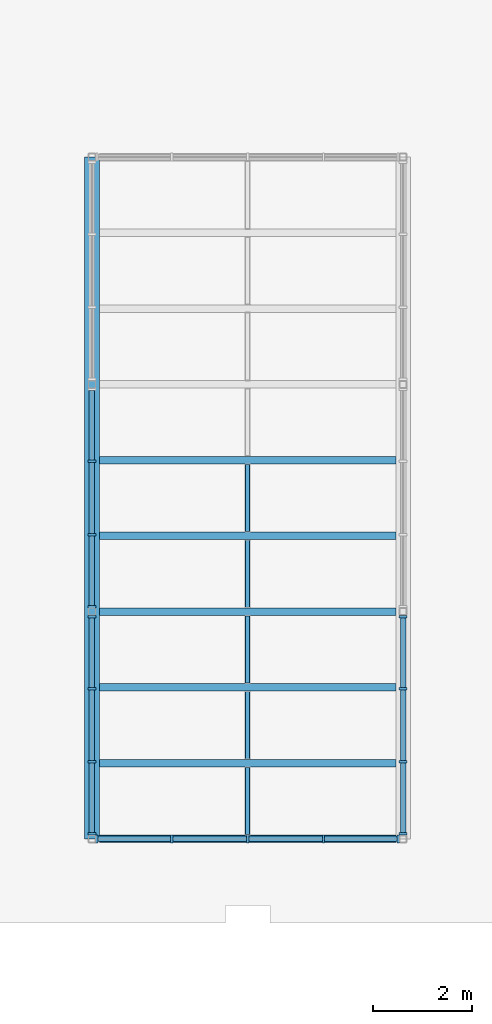
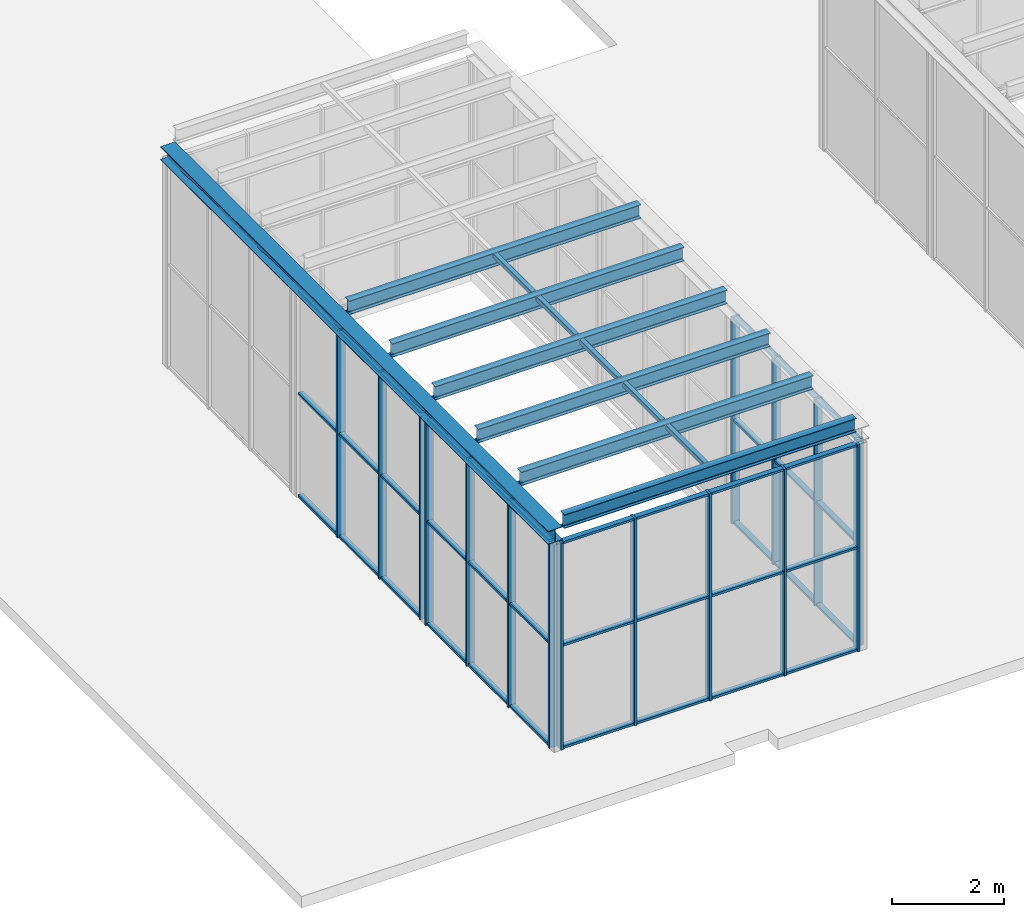
# One storey, part 6 of 25: 60 members, 7 beams, 4 elements without a shape of their own.
"""IFC4 building model written with IfcOpenShell, lengths in metres."""

from ifc_helpers import new_model, si_unit, direction, frame, origin, origin_2d, place, context, subcontext, project, spatial, rectangle, hollow_rectangle, i_section, extrude, material, layer, layer_set, material_profile, profile_set, type_object, element, aggregate, save


model = new_model("IFC4")

# Units and contexts
model_context = context("Model", 3, precision=1e-05, world=origin(), true_north=direction((0.0, 1.0)))
body_context = subcontext(model_context, "Body", "Model", "MODEL_VIEW")
ifc_project = project(units=[si_unit("LENGTHUNIT", "METRE"), si_unit("AREAUNIT", "SQUARE_METRE"), si_unit("VOLUMEUNIT", "CUBIC_METRE"), si_unit("PLANEANGLEUNIT", "RADIAN"), si_unit("MASSUNIT", "GRAM", prefix="KILO")], contexts=[model_context])

# Site, building, storey
site_placement = place(None, origin())
site = spatial("IfcSite", under=ifc_project, at=site_placement, CompositionType="ELEMENT")
building_placement = place(site_placement, origin())
building = spatial("IfcBuilding", under=site, at=building_placement, Name="Aurelan Courthouse", CompositionType="ELEMENT")
storey_placement = place(building_placement, frame((0.0, 0.0, 44.39990234375)))
storey = spatial("IfcBuildingStorey", under=building, at=storey_placement, Name="L08", CompositionType="ELEMENT", Elevation=44.39990234375)

# Beam
ifc_material_1 = material(Name="Steel S355", Category="steel")
ifc_material_profile_1 = material_profile(ifc_material_1, i_section(OverallWidth=0.300048828125, OverallDepth=0.2900390625, WebThickness=0.008544921875, FlangeThickness=0.013916015625, FilletRadius=0.027099609375, at=origin_2d()), Name="HEA 300")
ifc_profile_set_1 = profile_set([ifc_material_profile_1], Name="Steel S355")
beam_type_1 = type_object("IfcBeamType", Name="Lantern edge beam HEA 300", PredefinedType="BEAM", material=ifc_profile_set_1)
beam_placement = place(storey_placement, frame((41.85009765625, 38.85009765625, 4.64501953125), z_axis=(0.0, 1.0, 0.0), x_axis=(-1.0, 0.0, 0.0)))
element("IfcBeam", 1, at=beam_placement, inside=storey, type_object=beam_type_1, Name="Lantern edge beam LE-V21-01", PredefinedType="BEAM", context=body_context, shape_type="SweptSolid", body=[
    extrude(i_section(OverallWidth=0.300048828125, OverallDepth=0.2900390625, WebThickness=0.008544921875, FlangeThickness=0.013916015625, FilletRadius=0.027099609375, at=origin_2d()), origin(), (0.0, 0.0, 1.0), 13.7998046875),
])

# Curtain wall, members
ifc_material_2 = material(Name="Bronze-finished aluminium and glass", Category="aluminium")
ifc_layer_1 = layer(ifc_material_2, 0.14990234375)
ifc_layer_set_1 = layer_set([ifc_layer_1], Name="Bronze-finished aluminium and glass")
curtain_wall_type_1 = type_object("IfcCurtainWallType", Name="Lantern wall 6150 x 4500", PredefinedType="NOTDEFINED", material=ifc_layer_set_1)
curtain_wall_1_placement = place(storey_placement, origin())
curtain_wall_1 = element("IfcCurtainWall", 2, at=curtain_wall_1_placement, inside=storey, type_object=curtain_wall_type_1, Name="Curtain wall CW-L08-V2101", PredefinedType="NOTDEFINED")
ifc_material_3 = material(Name="Bronze-finished aluminium", Category="aluminium")
ifc_material_profile_2 = material_profile(ifc_material_3, rectangle(XDim=0.159912109375, YDim=0.050048828125, at=origin_2d()), Name="Lantern mullion 50 x 160")
ifc_profile_set_2 = profile_set([ifc_material_profile_2], Name="Bronze-finished aluminium")
member_type_1 = type_object("IfcMemberType", Name="Lantern mullion 50 x 160", PredefinedType="MULLION", material=ifc_profile_set_2)
member_1_placement = place(storey_placement, frame((41.949951171875, 38.85009765625, 0.0), z_axis=(0.0, 0.0, 1.0), x_axis=(0.0, 1.0, 0.0)))
member_1 = element("IfcMember", 3, at=member_1_placement, type_object=member_type_1, Name="CW-L08-V2101 mullion 1", PredefinedType="MULLION", context=body_context, shape_type="SweptSolid", body=[
    extrude(rectangle(XDim=0.159912109375, YDim=0.050048828125, at=origin_2d()), origin(), (0.0, 0.0, 1.0), 4.5),
])
member_2_placement = place(storey_placement, frame((43.46240234375, 38.85009765625, 0.0), z_axis=(0.0, 0.0, 1.0), x_axis=(0.0, 1.0, 0.0)))
member_2 = element("IfcMember", 4, at=member_2_placement, type_object=member_type_1, Name="CW-L08-V2101 mullion 2", PredefinedType="MULLION", context=body_context, shape_type="SweptSolid", body=[
    extrude(rectangle(XDim=0.159912109375, YDim=0.050048828125, at=origin_2d()), origin(), (0.0, 0.0, 1.0), 4.5),
])
member_3_placement = place(storey_placement, frame((45.0, 38.85009765625, 0.0), z_axis=(0.0, 0.0, 1.0), x_axis=(0.0, 1.0, 0.0)))
member_3 = element("IfcMember", 5, at=member_3_placement, type_object=member_type_1, Name="CW-L08-V2101 mullion 3", PredefinedType="MULLION", context=body_context, shape_type="SweptSolid", body=[
    extrude(rectangle(XDim=0.159912109375, YDim=0.050048828125, at=origin_2d()), origin(), (0.0, 0.0, 1.0), 4.5),
])
member_4_placement = place(storey_placement, frame((46.53759765625, 38.85009765625, 0.0), z_axis=(0.0, 0.0, 1.0), x_axis=(0.0, 1.0, 0.0)))
member_4 = element("IfcMember", 6, at=member_4_placement, type_object=member_type_1, Name="CW-L08-V2101 mullion 4", PredefinedType="MULLION", context=body_context, shape_type="SweptSolid", body=[
    extrude(rectangle(XDim=0.159912109375, YDim=0.050048828125, at=origin_2d()), origin(), (0.0, 0.0, 1.0), 4.5),
])
member_5_placement = place(storey_placement, frame((48.050048828125, 38.85009765625, 0.0), z_axis=(0.0, 0.0, 1.0), x_axis=(0.0, 1.0, 0.0)))
member_5 = element("IfcMember", 7, at=member_5_placement, type_object=member_type_1, Name="CW-L08-V2101 mullion 5", PredefinedType="MULLION", context=body_context, shape_type="SweptSolid", body=[
    extrude(rectangle(XDim=0.159912109375, YDim=0.050048828125, at=origin_2d()), origin(), (0.0, 0.0, 1.0), 4.5),
])

ifc_layer_2 = layer(ifc_material_2, 0.14990234375)
ifc_layer_set_2 = layer_set([ifc_layer_2], Name="Bronze-finished aluminium and glass")
curtain_wall_type_2 = type_object("IfcCurtainWallType", Name="Lantern wall 4450 x 4500", PredefinedType="NOTDEFINED", material=ifc_layer_set_2)
curtain_wall_2_placement = place(storey_placement, origin())
curtain_wall_2 = element("IfcCurtainWall", 8, at=curtain_wall_2_placement, inside=storey, type_object=curtain_wall_type_2, Name="Curtain wall CW-L08-V2102", PredefinedType="NOTDEFINED")
member_6_placement = place(storey_placement, frame((41.85009765625, 38.949951171875, 0.0), z_axis=(0.0, 0.0, 1.0), x_axis=(-1.0, 0.0, 0.0)))
member_6 = element("IfcMember", 9, at=member_6_placement, type_object=member_type_1, Name="CW-L08-V2102 mullion 1", PredefinedType="MULLION", context=body_context, shape_type="SweptSolid", body=[
    extrude(rectangle(XDim=0.159912109375, YDim=0.050048828125, at=origin_2d()), origin(), (0.0, 0.0, 1.0), 4.5),
])
member_7_placement = place(storey_placement, frame((41.85009765625, 40.408447265625, 0.0), z_axis=(0.0, 0.0, 1.0), x_axis=(-1.0, 0.0, 0.0)))
member_7 = element("IfcMember", 10, at=member_7_placement, type_object=member_type_1, Name="CW-L08-V2102 mullion 2", PredefinedType="MULLION", context=body_context, shape_type="SweptSolid", body=[
    extrude(rectangle(XDim=0.159912109375, YDim=0.050048828125, at=origin_2d()), origin(), (0.0, 0.0, 1.0), 4.5),
])
member_8_placement = place(storey_placement, frame((41.85009765625, 41.8916015625, 0.0), z_axis=(0.0, 0.0, 1.0), x_axis=(-1.0, 0.0, 0.0)))
member_8 = element("IfcMember", 11, at=member_8_placement, type_object=member_type_1, Name="CW-L08-V2102 mullion 3", PredefinedType="MULLION", context=body_context, shape_type="SweptSolid", body=[
    extrude(rectangle(XDim=0.159912109375, YDim=0.050048828125, at=origin_2d()), origin(), (0.0, 0.0, 1.0), 4.5),
])
member_9_placement = place(storey_placement, frame((41.85009765625, 43.35009765625, 0.0), z_axis=(0.0, 0.0, 1.0), x_axis=(-1.0, 0.0, 0.0)))
member_9 = element("IfcMember", 12, at=member_9_placement, type_object=member_type_1, Name="CW-L08-V2102 mullion 4", PredefinedType="MULLION", context=body_context, shape_type="SweptSolid", body=[
    extrude(rectangle(XDim=0.159912109375, YDim=0.050048828125, at=origin_2d()), origin(), (0.0, 0.0, 1.0), 4.5),
])

curtain_wall_3_placement = place(storey_placement, origin())
curtain_wall_3 = element("IfcCurtainWall", 13, at=curtain_wall_3_placement, inside=storey, type_object=curtain_wall_type_2, Name="Curtain wall CW-L08-V2103", PredefinedType="NOTDEFINED")
member_10_placement = place(storey_placement, frame((48.14990234375, 38.949951171875, 0.0), z_axis=(0.0, 0.0, 1.0), x_axis=(-1.0, 0.0, 0.0)))
member_10 = element("IfcMember", 14, at=member_10_placement, type_object=member_type_1, Name="CW-L08-V2103 mullion 1", PredefinedType="MULLION", context=body_context, shape_type="SweptSolid", body=[
    extrude(rectangle(XDim=0.159912109375, YDim=0.050048828125, at=origin_2d()), origin(), (0.0, 0.0, 1.0), 4.5),
])
member_11_placement = place(storey_placement, frame((48.14990234375, 40.408447265625, 0.0), z_axis=(0.0, 0.0, 1.0), x_axis=(-1.0, 0.0, 0.0)))
member_11 = element("IfcMember", 15, at=member_11_placement, type_object=member_type_1, Name="CW-L08-V2103 mullion 2", PredefinedType="MULLION", context=body_context, shape_type="SweptSolid", body=[
    extrude(rectangle(XDim=0.159912109375, YDim=0.050048828125, at=origin_2d()), origin(), (0.0, 0.0, 1.0), 4.5),
])
member_12_placement = place(storey_placement, frame((48.14990234375, 41.8916015625, 0.0), z_axis=(0.0, 0.0, 1.0), x_axis=(-1.0, 0.0, 0.0)))
member_12 = element("IfcMember", 16, at=member_12_placement, type_object=member_type_1, Name="CW-L08-V2103 mullion 3", PredefinedType="MULLION", context=body_context, shape_type="SweptSolid", body=[
    extrude(rectangle(XDim=0.159912109375, YDim=0.050048828125, at=origin_2d()), origin(), (0.0, 0.0, 1.0), 4.5),
])
member_13_placement = place(storey_placement, frame((48.14990234375, 43.35009765625, 0.0), z_axis=(0.0, 0.0, 1.0), x_axis=(-1.0, 0.0, 0.0)))
member_13 = element("IfcMember", 17, at=member_13_placement, type_object=member_type_1, Name="CW-L08-V2103 mullion 4", PredefinedType="MULLION", context=body_context, shape_type="SweptSolid", body=[
    extrude(rectangle(XDim=0.159912109375, YDim=0.050048828125, at=origin_2d()), origin(), (0.0, 0.0, 1.0), 4.5),
])

curtain_wall_4_placement = place(storey_placement, origin())
curtain_wall_4 = element("IfcCurtainWall", 18, at=curtain_wall_4_placement, inside=storey, type_object=curtain_wall_type_2, Name="Curtain wall CW-L08-V2104", PredefinedType="NOTDEFINED")
member_14_placement = place(storey_placement, frame((41.85009765625, 43.550048828125, 0.0), z_axis=(0.0, 0.0, 1.0), x_axis=(-1.0, 0.0, 0.0)))
member_14 = element("IfcMember", 19, at=member_14_placement, type_object=member_type_1, Name="CW-L08-V2104 mullion 1", PredefinedType="MULLION", context=body_context, shape_type="SweptSolid", body=[
    extrude(rectangle(XDim=0.159912109375, YDim=0.050048828125, at=origin_2d()), origin(), (0.0, 0.0, 1.0), 4.5),
])
member_15_placement = place(storey_placement, frame((41.85009765625, 45.00830078125, 0.0), z_axis=(0.0, 0.0, 1.0), x_axis=(-1.0, 0.0, 0.0)))
member_15 = element("IfcMember", 20, at=member_15_placement, type_object=member_type_1, Name="CW-L08-V2104 mullion 2", PredefinedType="MULLION", context=body_context, shape_type="SweptSolid", body=[
    extrude(rectangle(XDim=0.159912109375, YDim=0.050048828125, at=origin_2d()), origin(), (0.0, 0.0, 1.0), 4.5),
])
member_16_placement = place(storey_placement, frame((41.85009765625, 46.49169921875, 0.0), z_axis=(0.0, 0.0, 1.0), x_axis=(-1.0, 0.0, 0.0)))
member_16 = element("IfcMember", 21, at=member_16_placement, type_object=member_type_1, Name="CW-L08-V2104 mullion 3", PredefinedType="MULLION", context=body_context, shape_type="SweptSolid", body=[
    extrude(rectangle(XDim=0.159912109375, YDim=0.050048828125, at=origin_2d()), origin(), (0.0, 0.0, 1.0), 4.5),
])

# Members
ifc_material_profile_3 = material_profile(ifc_material_1, hollow_rectangle(XDim=0.10009765625, YDim=0.10009765625, WallThickness=0.006103515625, InnerFilletRadius=0.006103515625, OuterFilletRadius=0.011962890625, at=origin_2d()), Name="SHS 100x100x6")
ifc_profile_set_3 = profile_set([ifc_material_profile_3], Name="Steel S355")
member_type_2 = type_object("IfcMemberType", Name="Lantern purlin SHS 100x100x6", PredefinedType="PURLIN", material=ifc_profile_set_3)
member_17_placement = place(storey_placement, frame((45.0, 38.93505859375, 5.0400390625), z_axis=(0.0, 1.0, 0.0), x_axis=(-1.0, 0.0, 0.0)))
element("IfcMember", 22, at=member_17_placement, inside=storey, type_object=member_type_2, Name="Lantern purlin LP-V21-0101", PredefinedType="PURLIN", context=body_context, shape_type="SweptSolid", body=[
    extrude(hollow_rectangle(XDim=0.10009765625, YDim=0.10009765625, WallThickness=0.006103515625, InnerFilletRadius=0.006103515625, OuterFilletRadius=0.011962890625, at=origin_2d()), origin(), (0.0, 0.0, 1.0), 1.36328125),
])
member_18_placement = place(storey_placement, frame((45.0, 40.46826171875, 5.0400390625), z_axis=(0.0, 1.0, 0.0), x_axis=(-1.0, 0.0, 0.0)))
element("IfcMember", 23, at=member_18_placement, inside=storey, type_object=member_type_2, Name="Lantern purlin LP-V21-0201", PredefinedType="PURLIN", context=body_context, shape_type="SweptSolid", body=[
    extrude(hollow_rectangle(XDim=0.10009765625, YDim=0.10009765625, WallThickness=0.006103515625, InnerFilletRadius=0.006103515625, OuterFilletRadius=0.011962890625, at=origin_2d()), origin(), (0.0, 0.0, 1.0), 1.363525390625),
])
for number, where, z_axis, x_axis, name in (
    (24, (45.0, 42.001708984375, 5.0400390625), (0.0, 1.0, 0.0), (-1.0, 0.0, 0.0), "Lantern purlin LP-V21-0301"),
    (25, (45.0, 43.534912109375, 5.0400390625), (0.0, 1.0, 0.0), (-1.0, 0.0, 0.0), "Lantern purlin LP-V21-0401"),
    (26, (45.0, 45.068359375, 5.0400390625), (0.0, 1.0, 0.0), (-1.0, 0.0, 0.0), "Lantern purlin LP-V21-0501"),
):
    element("IfcMember", number, at=place(storey_placement, frame(where, z_axis=z_axis, x_axis=x_axis)), inside=storey, type_object=member_type_2, Name=name, PredefinedType="PURLIN", context=body_context, shape_type="SweptSolid", body=[
        extrude(hollow_rectangle(XDim=0.10009765625, YDim=0.10009765625, WallThickness=0.006103515625, InnerFilletRadius=0.006103515625, OuterFilletRadius=0.011962890625, at=origin_2d()), origin(), (0.0, 0.0, 1.0), 1.36328125),
    ])

# Beams
ifc_material_profile_4 = material_profile(ifc_material_1, i_section(OverallWidth=0.14990234375, OverallDepth=0.300048828125, WebThickness=0.007080078125, FlangeThickness=0.0107421875, FilletRadius=0.014892578125, at=origin_2d()), Name="IPE 300")
ifc_profile_set_4 = profile_set([ifc_material_profile_4], Name="Steel S355")
beam_type_2 = type_object("IfcBeamType", Name="Lantern roof beam IPE 300", PredefinedType="BEAM", material=ifc_profile_set_4)
for number, where, z_axis, x_axis, name in (
    (27, (42.0, 38.85009765625, 4.940185546875), (1.0, 0.0, 0.0), (0.0, 1.0, 0.0), "Lantern roof beam LR-V21-01"),
    (28, (42.0, 40.38330078125, 4.940185546875), (1.0, 0.0, 0.0), (0.0, 1.0, 0.0), "Lantern roof beam LR-V21-02"),
    (29, (42.0, 41.916748046875, 4.940185546875), (1.0, 0.0, 0.0), (0.0, 1.0, 0.0), "Lantern roof beam LR-V21-03"),
    (30, (42.0, 43.449951171875, 4.940185546875), (1.0, 0.0, 0.0), (0.0, 1.0, 0.0), "Lantern roof beam LR-V21-04"),
    (31, (42.0, 44.9833984375, 4.940185546875), (1.0, 0.0, 0.0), (0.0, 1.0, 0.0), "Lantern roof beam LR-V21-05"),
    (32, (42.0, 46.5166015625, 4.940185546875), (1.0, 0.0, 0.0), (0.0, 1.0, 0.0), "Lantern roof beam LR-V21-06"),
):
    element("IfcBeam", number, at=place(storey_placement, frame(where, z_axis=z_axis, x_axis=x_axis)), inside=storey, type_object=beam_type_2, Name=name, PredefinedType="BEAM", context=body_context, shape_type="SweptSolid", body=[
        extrude(i_section(OverallWidth=0.14990234375, OverallDepth=0.300048828125, WebThickness=0.007080078125, FlangeThickness=0.0107421875, FilletRadius=0.014892578125, at=origin_2d()), origin(), (0.0, 0.0, 1.0), 6.0),
    ])

# Member
ifc_material_profile_5 = material_profile(ifc_material_3, rectangle(XDim=0.110107421875, YDim=0.050048828125, at=origin_2d()), Name="Lantern transom 50 x 110")
ifc_profile_set_5 = profile_set([ifc_material_profile_5], Name="Bronze-finished aluminium")
member_type_3 = type_object("IfcMemberType", Name="Lantern transom 50 x 110", PredefinedType="USERDEFINED", material=ifc_profile_set_5)
member_19_placement = place(storey_placement, frame((41.97509765625, 38.85009765625, 0.025146484375), z_axis=(1.0, 0.0, 0.0), x_axis=(0.0, 1.0, 0.0)))
member_19 = element("IfcMember", 33, at=member_19_placement, type_object=member_type_3, Name="CW-L08-V2101 transom 1.1", ObjectType="TRANSOM", PredefinedType="USERDEFINED", context=body_context, shape_type="SweptSolid", body=[
    extrude(rectangle(XDim=0.110107421875, YDim=0.050048828125, at=origin_2d()), origin(), (0.0, 0.0, 1.0), 1.46240234375),
])

member_20_placement = place(storey_placement, frame((41.97509765625, 38.85009765625, 2.25), z_axis=(1.0, 0.0, 0.0), x_axis=(0.0, 1.0, 0.0)))
member_20 = element("IfcMember", 34, at=member_20_placement, type_object=member_type_3, Name="CW-L08-V2101 transom 1.2", ObjectType="TRANSOM", PredefinedType="USERDEFINED", context=body_context, shape_type="SweptSolid", body=[
    extrude(rectangle(XDim=0.110107421875, YDim=0.050048828125, at=origin_2d()), origin(), (0.0, 0.0, 1.0), 1.46240234375),
])

member_21_placement = place(storey_placement, frame((41.97509765625, 38.85009765625, 4.47509765625), z_axis=(1.0, 0.0, 0.0), x_axis=(0.0, 1.0, 0.0)))
member_21 = element("IfcMember", 35, at=member_21_placement, type_object=member_type_3, Name="CW-L08-V2101 transom 1.3", ObjectType="TRANSOM", PredefinedType="USERDEFINED", context=body_context, shape_type="SweptSolid", body=[
    extrude(rectangle(XDim=0.110107421875, YDim=0.050048828125, at=origin_2d()), origin(), (0.0, 0.0, 1.0), 1.46240234375),
])

member_22_placement = place(storey_placement, frame((43.487548828125, 38.85009765625, 0.025146484375), z_axis=(1.0, 0.0, 0.0), x_axis=(0.0, 1.0, 0.0)))
member_22 = element("IfcMember", 36, at=member_22_placement, type_object=member_type_3, Name="CW-L08-V2101 transom 2.1", ObjectType="TRANSOM", PredefinedType="USERDEFINED", context=body_context, shape_type="SweptSolid", body=[
    extrude(rectangle(XDim=0.110107421875, YDim=0.050048828125, at=origin_2d()), origin(), (0.0, 0.0, 1.0), 1.487548828125),
])

member_23_placement = place(storey_placement, frame((43.487548828125, 38.85009765625, 2.25), z_axis=(1.0, 0.0, 0.0), x_axis=(0.0, 1.0, 0.0)))
member_23 = element("IfcMember", 37, at=member_23_placement, type_object=member_type_3, Name="CW-L08-V2101 transom 2.2", ObjectType="TRANSOM", PredefinedType="USERDEFINED", context=body_context, shape_type="SweptSolid", body=[
    extrude(rectangle(XDim=0.110107421875, YDim=0.050048828125, at=origin_2d()), origin(), (0.0, 0.0, 1.0), 1.487548828125),
])

member_24_placement = place(storey_placement, frame((43.487548828125, 38.85009765625, 4.47509765625), z_axis=(1.0, 0.0, 0.0), x_axis=(0.0, 1.0, 0.0)))
member_24 = element("IfcMember", 38, at=member_24_placement, type_object=member_type_3, Name="CW-L08-V2101 transom 2.3", ObjectType="TRANSOM", PredefinedType="USERDEFINED", context=body_context, shape_type="SweptSolid", body=[
    extrude(rectangle(XDim=0.110107421875, YDim=0.050048828125, at=origin_2d()), origin(), (0.0, 0.0, 1.0), 1.487548828125),
])

member_25_placement = place(storey_placement, frame((45.02490234375, 38.85009765625, 0.025146484375), z_axis=(1.0, 0.0, 0.0), x_axis=(0.0, 1.0, 0.0)))
member_25 = element("IfcMember", 39, at=member_25_placement, type_object=member_type_3, Name="CW-L08-V2101 transom 3.1", ObjectType="TRANSOM", PredefinedType="USERDEFINED", context=body_context, shape_type="SweptSolid", body=[
    extrude(rectangle(XDim=0.110107421875, YDim=0.050048828125, at=origin_2d()), origin(), (0.0, 0.0, 1.0), 1.487548828125),
])

member_26_placement = place(storey_placement, frame((45.02490234375, 38.85009765625, 2.25), z_axis=(1.0, 0.0, 0.0), x_axis=(0.0, 1.0, 0.0)))
member_26 = element("IfcMember", 40, at=member_26_placement, type_object=member_type_3, Name="CW-L08-V2101 transom 3.2", ObjectType="TRANSOM", PredefinedType="USERDEFINED", context=body_context, shape_type="SweptSolid", body=[
    extrude(rectangle(XDim=0.110107421875, YDim=0.050048828125, at=origin_2d()), origin(), (0.0, 0.0, 1.0), 1.487548828125),
])

member_27_placement = place(storey_placement, frame((45.02490234375, 38.85009765625, 4.47509765625), z_axis=(1.0, 0.0, 0.0), x_axis=(0.0, 1.0, 0.0)))
member_27 = element("IfcMember", 41, at=member_27_placement, type_object=member_type_3, Name="CW-L08-V2101 transom 3.3", ObjectType="TRANSOM", PredefinedType="USERDEFINED", context=body_context, shape_type="SweptSolid", body=[
    extrude(rectangle(XDim=0.110107421875, YDim=0.050048828125, at=origin_2d()), origin(), (0.0, 0.0, 1.0), 1.487548828125),
])

member_28_placement = place(storey_placement, frame((46.5625, 38.85009765625, 0.025146484375), z_axis=(1.0, 0.0, 0.0), x_axis=(0.0, 1.0, 0.0)))
member_28 = element("IfcMember", 42, at=member_28_placement, type_object=member_type_3, Name="CW-L08-V2101 transom 4.1", ObjectType="TRANSOM", PredefinedType="USERDEFINED", context=body_context, shape_type="SweptSolid", body=[
    extrude(rectangle(XDim=0.110107421875, YDim=0.050048828125, at=origin_2d()), origin(), (0.0, 0.0, 1.0), 1.46240234375),
])

member_29_placement = place(storey_placement, frame((46.5625, 38.85009765625, 2.25), z_axis=(1.0, 0.0, 0.0), x_axis=(0.0, 1.0, 0.0)))
member_29 = element("IfcMember", 43, at=member_29_placement, type_object=member_type_3, Name="CW-L08-V2101 transom 4.2", ObjectType="TRANSOM", PredefinedType="USERDEFINED", context=body_context, shape_type="SweptSolid", body=[
    extrude(rectangle(XDim=0.110107421875, YDim=0.050048828125, at=origin_2d()), origin(), (0.0, 0.0, 1.0), 1.46240234375),
])

member_30_placement = place(storey_placement, frame((46.5625, 38.85009765625, 4.47509765625), z_axis=(1.0, 0.0, 0.0), x_axis=(0.0, 1.0, 0.0)))
member_30 = element("IfcMember", 44, at=member_30_placement, type_object=member_type_3, Name="CW-L08-V2101 transom 4.3", ObjectType="TRANSOM", PredefinedType="USERDEFINED", context=body_context, shape_type="SweptSolid", body=[
    extrude(rectangle(XDim=0.110107421875, YDim=0.050048828125, at=origin_2d()), origin(), (0.0, 0.0, 1.0), 1.46240234375),
])

aggregate(curtain_wall_1, [member_1, member_2, member_3, member_4, member_5, member_19, member_20, member_21, member_22, member_23, member_24, member_25, member_26, member_27, member_28, member_29, member_30])

member_31_placement = place(storey_placement, frame((41.85009765625, 38.97509765625, 0.025146484375), z_axis=(0.0, 1.0, 0.0), x_axis=(-1.0, 0.0, 0.0)))
member_31 = element("IfcMember", 45, at=member_31_placement, type_object=member_type_3, Name="CW-L08-V2102 transom 1.1", ObjectType="TRANSOM", PredefinedType="USERDEFINED", context=body_context, shape_type="SweptSolid", body=[
    extrude(rectangle(XDim=0.110107421875, YDim=0.050048828125, at=origin_2d()), origin(), (0.0, 0.0, 1.0), 1.408203125),
])

member_32_placement = place(storey_placement, frame((41.85009765625, 38.97509765625, 2.25), z_axis=(0.0, 1.0, 0.0), x_axis=(-1.0, 0.0, 0.0)))
member_32 = element("IfcMember", 46, at=member_32_placement, type_object=member_type_3, Name="CW-L08-V2102 transom 1.2", ObjectType="TRANSOM", PredefinedType="USERDEFINED", context=body_context, shape_type="SweptSolid", body=[
    extrude(rectangle(XDim=0.110107421875, YDim=0.050048828125, at=origin_2d()), origin(), (0.0, 0.0, 1.0), 1.408203125),
])

member_33_placement = place(storey_placement, frame((41.85009765625, 38.97509765625, 4.47509765625), z_axis=(0.0, 1.0, 0.0), x_axis=(-1.0, 0.0, 0.0)))
member_33 = element("IfcMember", 47, at=member_33_placement, type_object=member_type_3, Name="CW-L08-V2102 transom 1.3", ObjectType="TRANSOM", PredefinedType="USERDEFINED", context=body_context, shape_type="SweptSolid", body=[
    extrude(rectangle(XDim=0.110107421875, YDim=0.050048828125, at=origin_2d()), origin(), (0.0, 0.0, 1.0), 1.408203125),
])

member_34_placement = place(storey_placement, frame((41.85009765625, 40.433349609375, 0.025146484375), z_axis=(0.0, 1.0, 0.0), x_axis=(-1.0, 0.0, 0.0)))
member_34 = element("IfcMember", 48, at=member_34_placement, type_object=member_type_3, Name="CW-L08-V2102 transom 2.1", ObjectType="TRANSOM", PredefinedType="USERDEFINED", context=body_context, shape_type="SweptSolid", body=[
    extrude(rectangle(XDim=0.110107421875, YDim=0.050048828125, at=origin_2d()), origin(), (0.0, 0.0, 1.0), 1.433349609375),
])

member_35_placement = place(storey_placement, frame((41.85009765625, 40.433349609375, 2.25), z_axis=(0.0, 1.0, 0.0), x_axis=(-1.0, 0.0, 0.0)))
member_35 = element("IfcMember", 49, at=member_35_placement, type_object=member_type_3, Name="CW-L08-V2102 transom 2.2", ObjectType="TRANSOM", PredefinedType="USERDEFINED", context=body_context, shape_type="SweptSolid", body=[
    extrude(rectangle(XDim=0.110107421875, YDim=0.050048828125, at=origin_2d()), origin(), (0.0, 0.0, 1.0), 1.433349609375),
])

member_36_placement = place(storey_placement, frame((41.85009765625, 40.433349609375, 4.47509765625), z_axis=(0.0, 1.0, 0.0), x_axis=(-1.0, 0.0, 0.0)))
member_36 = element("IfcMember", 50, at=member_36_placement, type_object=member_type_3, Name="CW-L08-V2102 transom 2.3", ObjectType="TRANSOM", PredefinedType="USERDEFINED", context=body_context, shape_type="SweptSolid", body=[
    extrude(rectangle(XDim=0.110107421875, YDim=0.050048828125, at=origin_2d()), origin(), (0.0, 0.0, 1.0), 1.433349609375),
])

member_37_placement = place(storey_placement, frame((41.85009765625, 41.916748046875, 0.025146484375), z_axis=(0.0, 1.0, 0.0), x_axis=(-1.0, 0.0, 0.0)))
member_37 = element("IfcMember", 51, at=member_37_placement, type_object=member_type_3, Name="CW-L08-V2102 transom 3.1", ObjectType="TRANSOM", PredefinedType="USERDEFINED", context=body_context, shape_type="SweptSolid", body=[
    extrude(rectangle(XDim=0.110107421875, YDim=0.050048828125, at=origin_2d()), origin(), (0.0, 0.0, 1.0), 1.408203125),
])

member_38_placement = place(storey_placement, frame((41.85009765625, 41.916748046875, 2.25), z_axis=(0.0, 1.0, 0.0), x_axis=(-1.0, 0.0, 0.0)))
member_38 = element("IfcMember", 52, at=member_38_placement, type_object=member_type_3, Name="CW-L08-V2102 transom 3.2", ObjectType="TRANSOM", PredefinedType="USERDEFINED", context=body_context, shape_type="SweptSolid", body=[
    extrude(rectangle(XDim=0.110107421875, YDim=0.050048828125, at=origin_2d()), origin(), (0.0, 0.0, 1.0), 1.408203125),
])

member_39_placement = place(storey_placement, frame((41.85009765625, 41.916748046875, 4.47509765625), z_axis=(0.0, 1.0, 0.0), x_axis=(-1.0, 0.0, 0.0)))
member_39 = element("IfcMember", 53, at=member_39_placement, type_object=member_type_3, Name="CW-L08-V2102 transom 3.3", ObjectType="TRANSOM", PredefinedType="USERDEFINED", context=body_context, shape_type="SweptSolid", body=[
    extrude(rectangle(XDim=0.110107421875, YDim=0.050048828125, at=origin_2d()), origin(), (0.0, 0.0, 1.0), 1.408203125),
])

aggregate(curtain_wall_2, [member_6, member_7, member_8, member_9, member_31, member_32, member_33, member_34, member_35, member_36, member_37, member_38, member_39])

member_40_placement = place(storey_placement, frame((48.14990234375, 38.97509765625, 0.025146484375), z_axis=(0.0, 1.0, 0.0), x_axis=(-1.0, 0.0, 0.0)))
member_40 = element("IfcMember", 54, at=member_40_placement, type_object=member_type_3, Name="CW-L08-V2103 transom 1.1", ObjectType="TRANSOM", PredefinedType="USERDEFINED", context=body_context, shape_type="SweptSolid", body=[
    extrude(rectangle(XDim=0.110107421875, YDim=0.050048828125, at=origin_2d()), origin(), (0.0, 0.0, 1.0), 1.408203125),
])

member_41_placement = place(storey_placement, frame((48.14990234375, 38.97509765625, 2.25), z_axis=(0.0, 1.0, 0.0), x_axis=(-1.0, 0.0, 0.0)))
member_41 = element("IfcMember", 55, at=member_41_placement, type_object=member_type_3, Name="CW-L08-V2103 transom 1.2", ObjectType="TRANSOM", PredefinedType="USERDEFINED", context=body_context, shape_type="SweptSolid", body=[
    extrude(rectangle(XDim=0.110107421875, YDim=0.050048828125, at=origin_2d()), origin(), (0.0, 0.0, 1.0), 1.408203125),
])

member_42_placement = place(storey_placement, frame((48.14990234375, 38.97509765625, 4.47509765625), z_axis=(0.0, 1.0, 0.0), x_axis=(-1.0, 0.0, 0.0)))
member_42 = element("IfcMember", 56, at=member_42_placement, type_object=member_type_3, Name="CW-L08-V2103 transom 1.3", ObjectType="TRANSOM", PredefinedType="USERDEFINED", context=body_context, shape_type="SweptSolid", body=[
    extrude(rectangle(XDim=0.110107421875, YDim=0.050048828125, at=origin_2d()), origin(), (0.0, 0.0, 1.0), 1.408203125),
])

member_43_placement = place(storey_placement, frame((48.14990234375, 40.433349609375, 0.025146484375), z_axis=(0.0, 1.0, 0.0), x_axis=(-1.0, 0.0, 0.0)))
member_43 = element("IfcMember", 57, at=member_43_placement, type_object=member_type_3, Name="CW-L08-V2103 transom 2.1", ObjectType="TRANSOM", PredefinedType="USERDEFINED", context=body_context, shape_type="SweptSolid", body=[
    extrude(rectangle(XDim=0.110107421875, YDim=0.050048828125, at=origin_2d()), origin(), (0.0, 0.0, 1.0), 1.433349609375),
])

member_44_placement = place(storey_placement, frame((48.14990234375, 40.433349609375, 2.25), z_axis=(0.0, 1.0, 0.0), x_axis=(-1.0, 0.0, 0.0)))
member_44 = element("IfcMember", 58, at=member_44_placement, type_object=member_type_3, Name="CW-L08-V2103 transom 2.2", ObjectType="TRANSOM", PredefinedType="USERDEFINED", context=body_context, shape_type="SweptSolid", body=[
    extrude(rectangle(XDim=0.110107421875, YDim=0.050048828125, at=origin_2d()), origin(), (0.0, 0.0, 1.0), 1.433349609375),
])

member_45_placement = place(storey_placement, frame((48.14990234375, 40.433349609375, 4.47509765625), z_axis=(0.0, 1.0, 0.0), x_axis=(-1.0, 0.0, 0.0)))
member_45 = element("IfcMember", 59, at=member_45_placement, type_object=member_type_3, Name="CW-L08-V2103 transom 2.3", ObjectType="TRANSOM", PredefinedType="USERDEFINED", context=body_context, shape_type="SweptSolid", body=[
    extrude(rectangle(XDim=0.110107421875, YDim=0.050048828125, at=origin_2d()), origin(), (0.0, 0.0, 1.0), 1.433349609375),
])

member_46_placement = place(storey_placement, frame((48.14990234375, 41.916748046875, 0.025146484375), z_axis=(0.0, 1.0, 0.0), x_axis=(-1.0, 0.0, 0.0)))
member_46 = element("IfcMember", 60, at=member_46_placement, type_object=member_type_3, Name="CW-L08-V2103 transom 3.1", ObjectType="TRANSOM", PredefinedType="USERDEFINED", context=body_context, shape_type="SweptSolid", body=[
    extrude(rectangle(XDim=0.110107421875, YDim=0.050048828125, at=origin_2d()), origin(), (0.0, 0.0, 1.0), 1.408203125),
])

member_47_placement = place(storey_placement, frame((48.14990234375, 41.916748046875, 2.25), z_axis=(0.0, 1.0, 0.0), x_axis=(-1.0, 0.0, 0.0)))
member_47 = element("IfcMember", 61, at=member_47_placement, type_object=member_type_3, Name="CW-L08-V2103 transom 3.2", ObjectType="TRANSOM", PredefinedType="USERDEFINED", context=body_context, shape_type="SweptSolid", body=[
    extrude(rectangle(XDim=0.110107421875, YDim=0.050048828125, at=origin_2d()), origin(), (0.0, 0.0, 1.0), 1.408203125),
])

member_48_placement = place(storey_placement, frame((48.14990234375, 41.916748046875, 4.47509765625), z_axis=(0.0, 1.0, 0.0), x_axis=(-1.0, 0.0, 0.0)))
member_48 = element("IfcMember", 62, at=member_48_placement, type_object=member_type_3, Name="CW-L08-V2103 transom 3.3", ObjectType="TRANSOM", PredefinedType="USERDEFINED", context=body_context, shape_type="SweptSolid", body=[
    extrude(rectangle(XDim=0.110107421875, YDim=0.050048828125, at=origin_2d()), origin(), (0.0, 0.0, 1.0), 1.408203125),
])

aggregate(curtain_wall_3, [member_10, member_11, member_12, member_13, member_40, member_41, member_42, member_43, member_44, member_45, member_46, member_47, member_48])

member_49_placement = place(storey_placement, frame((41.85009765625, 43.574951171875, 0.025146484375), z_axis=(0.0, 1.0, 0.0), x_axis=(-1.0, 0.0, 0.0)))
member_49 = element("IfcMember", 63, at=member_49_placement, type_object=member_type_3, Name="CW-L08-V2104 transom 1.1", ObjectType="TRANSOM", PredefinedType="USERDEFINED", context=body_context, shape_type="SweptSolid", body=[
    extrude(rectangle(XDim=0.110107421875, YDim=0.050048828125, at=origin_2d()), origin(), (0.0, 0.0, 1.0), 1.408447265625),
])

member_50_placement = place(storey_placement, frame((41.85009765625, 43.574951171875, 2.25), z_axis=(0.0, 1.0, 0.0), x_axis=(-1.0, 0.0, 0.0)))
member_50 = element("IfcMember", 64, at=member_50_placement, type_object=member_type_3, Name="CW-L08-V2104 transom 1.2", ObjectType="TRANSOM", PredefinedType="USERDEFINED", context=body_context, shape_type="SweptSolid", body=[
    extrude(rectangle(XDim=0.110107421875, YDim=0.050048828125, at=origin_2d()), origin(), (0.0, 0.0, 1.0), 1.408447265625),
])

member_51_placement = place(storey_placement, frame((41.85009765625, 43.574951171875, 4.47509765625), z_axis=(0.0, 1.0, 0.0), x_axis=(-1.0, 0.0, 0.0)))
member_51 = element("IfcMember", 65, at=member_51_placement, type_object=member_type_3, Name="CW-L08-V2104 transom 1.3", ObjectType="TRANSOM", PredefinedType="USERDEFINED", context=body_context, shape_type="SweptSolid", body=[
    extrude(rectangle(XDim=0.110107421875, YDim=0.050048828125, at=origin_2d()), origin(), (0.0, 0.0, 1.0), 1.408447265625),
])

member_52_placement = place(storey_placement, frame((41.85009765625, 45.033447265625, 0.025146484375), z_axis=(0.0, 1.0, 0.0), x_axis=(-1.0, 0.0, 0.0)))
member_52 = element("IfcMember", 66, at=member_52_placement, type_object=member_type_3, Name="CW-L08-V2104 transom 2.1", ObjectType="TRANSOM", PredefinedType="USERDEFINED", context=body_context, shape_type="SweptSolid", body=[
    extrude(rectangle(XDim=0.110107421875, YDim=0.050048828125, at=origin_2d()), origin(), (0.0, 0.0, 1.0), 1.43310546875),
])

member_53_placement = place(storey_placement, frame((41.85009765625, 45.033447265625, 2.25), z_axis=(0.0, 1.0, 0.0), x_axis=(-1.0, 0.0, 0.0)))
member_53 = element("IfcMember", 67, at=member_53_placement, type_object=member_type_3, Name="CW-L08-V2104 transom 2.2", ObjectType="TRANSOM", PredefinedType="USERDEFINED", context=body_context, shape_type="SweptSolid", body=[
    extrude(rectangle(XDim=0.110107421875, YDim=0.050048828125, at=origin_2d()), origin(), (0.0, 0.0, 1.0), 1.43310546875),
])

member_54_placement = place(storey_placement, frame((41.85009765625, 45.033447265625, 4.47509765625), z_axis=(0.0, 1.0, 0.0), x_axis=(-1.0, 0.0, 0.0)))
member_54 = element("IfcMember", 68, at=member_54_placement, type_object=member_type_3, Name="CW-L08-V2104 transom 2.3", ObjectType="TRANSOM", PredefinedType="USERDEFINED", context=body_context, shape_type="SweptSolid", body=[
    extrude(rectangle(XDim=0.110107421875, YDim=0.050048828125, at=origin_2d()), origin(), (0.0, 0.0, 1.0), 1.43310546875),
])

member_55_placement = place(storey_placement, frame((41.85009765625, 46.5166015625, 0.025146484375), z_axis=(0.0, 1.0, 0.0), x_axis=(-1.0, 0.0, 0.0)))
member_55 = element("IfcMember", 69, at=member_55_placement, type_object=member_type_3, Name="CW-L08-V2104 transom 3.1", ObjectType="TRANSOM", PredefinedType="USERDEFINED", context=body_context, shape_type="SweptSolid", body=[
    extrude(rectangle(XDim=0.110107421875, YDim=0.050048828125, at=origin_2d()), origin(), (0.0, 0.0, 1.0), 1.408447265625),
])

member_56_placement = place(storey_placement, frame((41.85009765625, 46.5166015625, 2.25), z_axis=(0.0, 1.0, 0.0), x_axis=(-1.0, 0.0, 0.0)))
member_56 = element("IfcMember", 70, at=member_56_placement, type_object=member_type_3, Name="CW-L08-V2104 transom 3.2", ObjectType="TRANSOM", PredefinedType="USERDEFINED", context=body_context, shape_type="SweptSolid", body=[
    extrude(rectangle(XDim=0.110107421875, YDim=0.050048828125, at=origin_2d()), origin(), (0.0, 0.0, 1.0), 1.408447265625),
])

member_57_placement = place(storey_placement, frame((41.85009765625, 46.5166015625, 4.47509765625), z_axis=(0.0, 1.0, 0.0), x_axis=(-1.0, 0.0, 0.0)))
member_57 = element("IfcMember", 71, at=member_57_placement, type_object=member_type_3, Name="CW-L08-V2104 transom 3.3", ObjectType="TRANSOM", PredefinedType="USERDEFINED", context=body_context, shape_type="SweptSolid", body=[
    extrude(rectangle(XDim=0.110107421875, YDim=0.050048828125, at=origin_2d()), origin(), (0.0, 0.0, 1.0), 1.408447265625),
])

aggregate(curtain_wall_4, [member_14, member_15, member_16, member_49, member_50, member_51, member_52, member_53, member_54, member_55, member_56, member_57])

save(model, "model.ifc")
